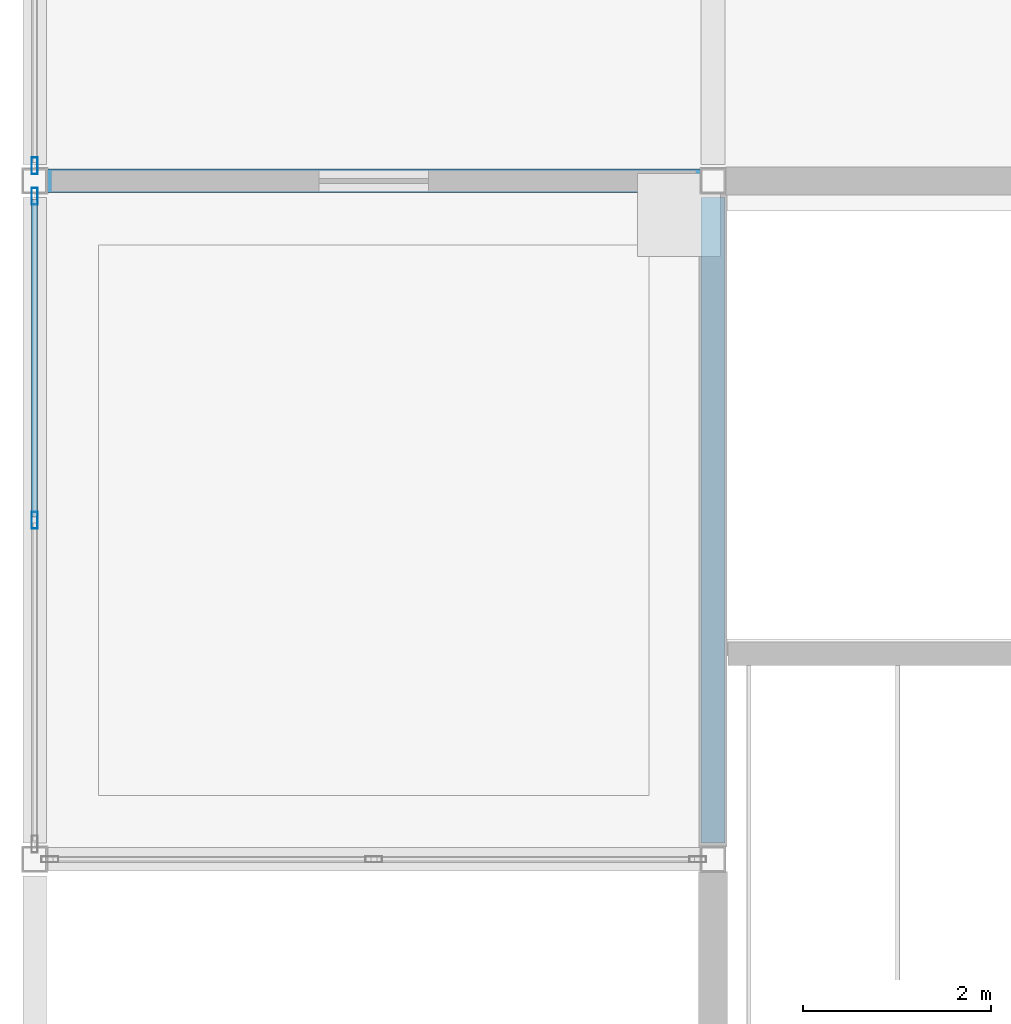
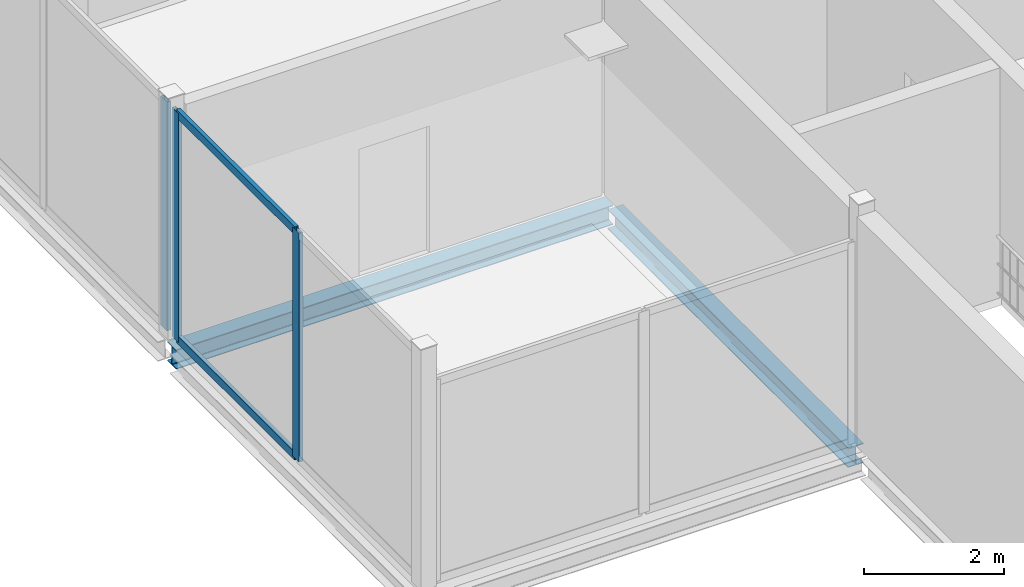
# One storey, part 7 of 18: 5 members, 2 beams, 2 elements without a shape of their own.
"""IFC4 building model written with IfcOpenShell, lengths in metres."""

from ifc_helpers import new_model, si_unit, direction, frame, origin, origin_2d, place, context, subcontext, project, spatial, hollow_rectangle, i_section, extrude, material, material_profile, profile_set, type_object, element, aggregate, save


model = new_model("IFC4")

# Units and contexts
model_context = context("Model", 3, precision=1e-05, world=origin(), true_north=direction((0.0, 1.0)))
body_context = subcontext(model_context, "Body", "Model", "MODEL_VIEW")
ifc_project = project(units=[si_unit("LENGTHUNIT", "METRE"), si_unit("AREAUNIT", "SQUARE_METRE"), si_unit("VOLUMEUNIT", "CUBIC_METRE"), si_unit("PLANEANGLEUNIT", "RADIAN"), si_unit("MASSUNIT", "GRAM", prefix="KILO")], contexts=[model_context])

# Site, building, storey
site_placement = place(None, origin())
site = spatial("IfcSite", under=ifc_project, at=site_placement, CompositionType="ELEMENT")
building_placement = place(site_placement, origin())
building = spatial("IfcBuilding", under=site, at=building_placement, Name="Vesperath Aquatics Centre", CompositionType="ELEMENT")
storey_placement = place(building_placement, frame((0.0, 0.0, 23.39990234375)))
storey = spatial("IfcBuildingStorey", under=building, at=storey_placement, Name="L05", CompositionType="ELEMENT", Elevation=23.39990234375)

# Beams
ifc_material_1 = material(Name="Steel Q355C", Category="steel")
ifc_material_profile_1 = material_profile(ifc_material_1, i_section(OverallWidth=0.25, OverallDepth=0.340087890625, WebThickness=0.009033203125, FlangeThickness=0.013916015625, FilletRadius=0.02001953125, at=origin_2d()), Name="HM 340x250x9x14")
ifc_profile_set_1 = profile_set([ifc_material_profile_1], Name="Steel Q355C")
beam_type = type_object("IfcBeamType", Name="BM-G12", PredefinedType="BEAM", material=ifc_profile_set_1)
beam_1_placement = place(storey_placement, frame((115.2060546875, 14.39990234375, -0.389892578125), z_axis=(1.0, 0.0, 0.0), x_axis=(0.0, 1.0, 0.0)))
element("IfcBeam", 1, at=beam_1_placement, inside=storey, type_object=beam_type, Name="Floor Girder B12 L05 C 17-18", PredefinedType="BEAM", context=body_context, shape_type="SweptSolid", body=[
    extrude(i_section(OverallWidth=0.25, OverallDepth=0.340087890625, WebThickness=0.009033203125, FlangeThickness=0.013916015625, FilletRadius=0.02001953125, at=origin_2d()), origin(), (0.0, 0.0, 1.0), 7.18798828125),
])
beam_2_placement = place(storey_placement, frame((122.39990234375, 7.375, -0.389892578125), z_axis=(0.0, 1.0, 0.0), x_axis=(-1.0, 0.0, 0.0)))
element("IfcBeam", 2, at=beam_2_placement, inside=storey, type_object=beam_type, Name="Floor Girder B12 L05 18 B-C", PredefinedType="BEAM", context=body_context, shape_type="SweptSolid", body=[
    extrude(i_section(OverallWidth=0.25, OverallDepth=0.340087890625, WebThickness=0.009033203125, FlangeThickness=0.013916015625, FilletRadius=0.02001953125, at=origin_2d()), origin(), (0.0, 0.0, 1.0), 6.85009765625),
])

# Curtain wall, members
ifc_material_2 = material(Name="Thermally broken anodised bronze aluminium curtain wall", Category="aluminium")
curtain_wall_type = type_object("IfcCurtainWallType", Name="CW-07", PredefinedType="NOTDEFINED", material=ifc_material_2)
curtain_wall_1_placement = place(storey_placement, origin())
curtain_wall_1 = element("IfcCurtainWall", 3, at=curtain_wall_1_placement, inside=storey, type_object=curtain_wall_type, Name="Facade Curtain Wall CW07 L05_W_16_01", PredefinedType="NOTDEFINED")
ifc_material_3 = material(Name="Thermally broken anodised aluminium", Category="aluminium")
ifc_material_profile_2 = material_profile(ifc_material_3, hollow_rectangle(XDim=0.06494140625, YDim=0.179931640625, WallThickness=0.00390625, at=origin_2d()), Name="CWM 65x180x4")
ifc_profile_set_2 = profile_set([ifc_material_profile_2], Name="Thermally broken anodised aluminium")
member_type_1 = type_object("IfcMemberType", Name="MB-CWM3", PredefinedType="MULLION", material=ifc_profile_set_2)
member_1_placement = place(storey_placement, frame((115.199951171875, 10.800048828125, 0.0), z_axis=(0.0, 0.0, 1.0), x_axis=(-1.0, 0.0, 0.0)))
member_1 = element("IfcMember", 4, at=member_1_placement, type_object=member_type_1, Name="CW07 mullion 2", PredefinedType="MULLION", context=body_context, shape_type="SweptSolid", body=[
    extrude(hollow_rectangle(XDim=0.06494140625, YDim=0.179931640625, WallThickness=0.00390625, at=origin_2d()), origin(), (0.0, 0.0, 1.0), 3.97998046875),
])
member_2_placement = place(storey_placement, frame((115.199951171875, 14.237548828125, 0.0), z_axis=(0.0, 0.0, 1.0), x_axis=(-1.0, 0.0, 0.0)))
member_2 = element("IfcMember", 5, at=member_2_placement, type_object=member_type_1, Name="CW07 mullion 3", PredefinedType="MULLION", context=body_context, shape_type="SweptSolid", body=[
    extrude(hollow_rectangle(XDim=0.06494140625, YDim=0.179931640625, WallThickness=0.00390625, at=origin_2d()), origin(), (0.0, 0.0, 1.0), 3.97998046875),
])

# Curtain wall, member
curtain_wall_2_placement = place(storey_placement, origin())
curtain_wall_2 = element("IfcCurtainWall", 6, at=curtain_wall_2_placement, inside=storey, type_object=curtain_wall_type, Name="Facade Curtain Wall CW07 L05_W_16_02", PredefinedType="NOTDEFINED")
member_3_placement = place(storey_placement, frame((115.199951171875, 14.5625, 0.0), z_axis=(0.0, 0.0, 1.0), x_axis=(-1.0, 0.0, 0.0)))
member_3 = element("IfcMember", 7, at=member_3_placement, type_object=member_type_1, Name="CW07 mullion 1", PredefinedType="MULLION", context=body_context, shape_type="SweptSolid", body=[
    extrude(hollow_rectangle(XDim=0.06494140625, YDim=0.179931640625, WallThickness=0.00390625, at=origin_2d()), origin(), (0.0, 0.0, 1.0), 3.97998046875),
])
aggregate(curtain_wall_2, [member_3])

# Member
ifc_material_profile_3 = material_profile(ifc_material_3, hollow_rectangle(XDim=0.06494140625, YDim=0.139892578125, WallThickness=0.00390625, at=origin_2d()), Name="CWT 65x140x4")
ifc_profile_set_3 = profile_set([ifc_material_profile_3], Name="Thermally broken anodised aluminium")
member_type_2 = type_object("IfcMemberType", Name="MB-CWT3", PredefinedType="USERDEFINED", material=ifc_profile_set_3)
member_4_placement = place(storey_placement, frame((115.199951171875, 10.83251953125, 0.03271484375), z_axis=(0.0, 1.0, 0.0), x_axis=(-1.0, 0.0, 0.0)))
member_4 = element("IfcMember", 8, at=member_4_placement, type_object=member_type_2, Name="CW07 transom 2.1", ObjectType="TRANSOM", PredefinedType="USERDEFINED", context=body_context, shape_type="SweptSolid", body=[
    extrude(hollow_rectangle(XDim=0.06494140625, YDim=0.139892578125, WallThickness=0.00390625, at=origin_2d()), origin(), (0.0, 0.0, 1.0), 3.37255859375),
])

member_5_placement = place(storey_placement, frame((115.199951171875, 10.83251953125, 3.947509765625), z_axis=(0.0, 1.0, 0.0), x_axis=(-1.0, 0.0, 0.0)))
member_5 = element("IfcMember", 9, at=member_5_placement, type_object=member_type_2, Name="CW07 transom 2.2", ObjectType="TRANSOM", PredefinedType="USERDEFINED", context=body_context, shape_type="SweptSolid", body=[
    extrude(hollow_rectangle(XDim=0.06494140625, YDim=0.139892578125, WallThickness=0.00390625, at=origin_2d()), origin(), (0.0, 0.0, 1.0), 3.37255859375),
])

aggregate(curtain_wall_1, [member_1, member_2, member_4, member_5])

save(model, "model.ifc")
